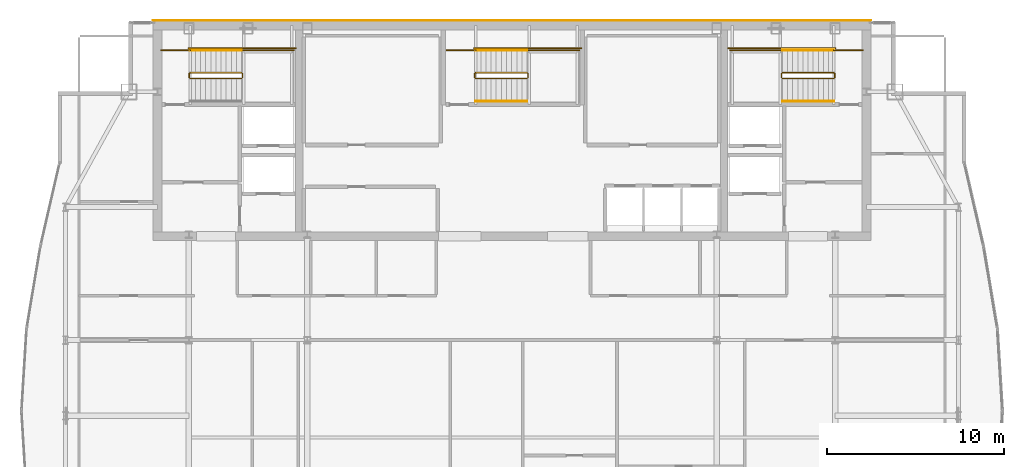
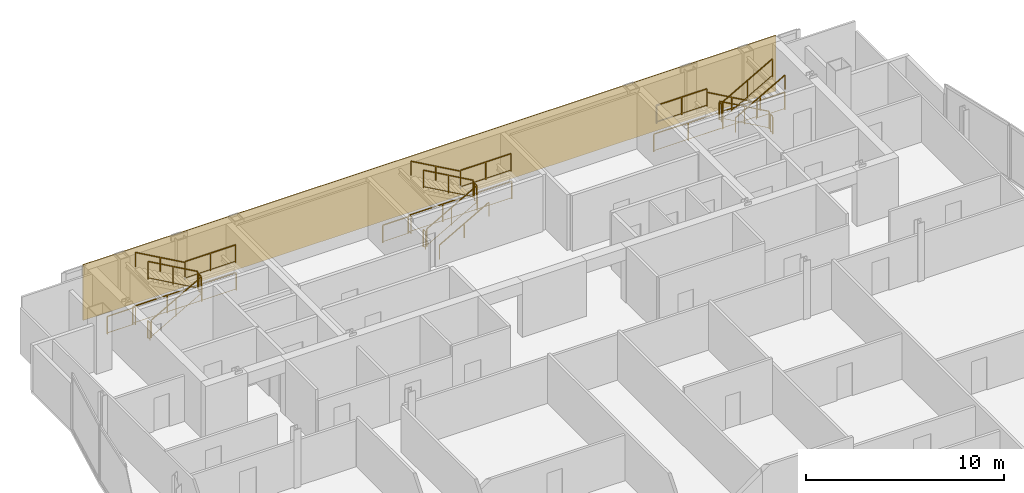
# One storey, part 29 of 29: 26 railings, 1 covering.
"""IFC4 building model written with IfcOpenShell, lengths in metres."""

import ifcopenshell
import ifcopenshell.guid

model = None  # the IFC model being written
_history = None  # IfcOwnerHistory: only IFC2X3 demands one
_inside = {}  # id of a spatial element -> (the spatial element, [elements in it])
_under = {}  # id of a project, library or spatial element -> (it, [spatial elements below it])
_declared = {}  # id of a project -> (the project, [libraries it declares])
_typed = {}  # id of a type object -> (the type object, [elements of that type])
_made_of = {}  # id of a material, layer set ... -> (it, [elements and type objects made of it])


def new_model(schema):
    """Start an empty IFC model of exactly this schema.

    Asked for "IFC4X3", IfcOpenShell would pick the latest addendum, in which some entities
    have other attributes; the version numbers below select the first issue.
    IFC2X3 requires an IfcOwnerHistory on every rooted entity: one is made here for all.
    """
    global model, _history
    if schema == "IFC4X3":
        model = ifcopenshell.file(schema_version=(4, 3, 0, 0))
    else:
        model = ifcopenshell.file(schema=schema)
    _inside.clear()
    _under.clear()
    _declared.clear()
    _typed.clear()
    _made_of.clear()
    _history = None
    if model.schema == "IFC2X3":
        org = make("IfcOrganization", Name="unknown")
        user = make(
            "IfcPersonAndOrganization",
            ThePerson=make("IfcPerson", FamilyName="unknown"),
            TheOrganization=org,
        )
        app = make(
            "IfcApplication",
            ApplicationDeveloper=org,
            Version="unknown",
            ApplicationFullName="unknown",
            ApplicationIdentifier="unknown",
        )
        _history = make(
            "IfcOwnerHistory",
            OwningUser=user,
            OwningApplication=app,
            ChangeAction="ADDED",
            CreationDate=0,
        )
    return model


def make(cls, **values):
    """One entity of the class cls with the attributes given. An attribute that is None is left unset."""
    return model.create_entity(
        cls, **{name: value for name, value in values.items() if value is not None}
    )


def rooted(cls, **values):
    """An entity with a GlobalId (a new one), such as an element, a storey or a relation."""
    return make(cls, GlobalId=ifcopenshell.guid.new(), OwnerHistory=_history, **values)


def si_unit(unit_type, name, prefix=None):
    """IfcSIUnit, for example si_unit("LENGTHUNIT", "METRE", prefix="MILLI")."""
    return make("IfcSIUnit", UnitType=unit_type, Prefix=prefix, Name=name)


def assignment(units):
    """IfcUnitAssignment: the units of a project."""
    return None if units is None else make("IfcUnitAssignment", Units=units)


def point(xyz):
    """IfcCartesianPoint."""
    return None if xyz is None else make("IfcCartesianPoint", Coordinates=xyz)


def direction(xyz):
    """IfcDirection."""
    return None if xyz is None else make("IfcDirection", DirectionRatios=xyz)


def frame(location, z_axis=None, x_axis=None):
    """IfcAxis2Placement3D, a coordinate frame: its origin and axes. An axis left out is left unset."""
    return make(
        "IfcAxis2Placement3D",
        Location=point(location),
        Axis=direction(z_axis),
        RefDirection=direction(x_axis),
    )


def frame_2d(location, x_axis=None):
    """IfcAxis2Placement2D, a coordinate frame in the plane: its origin and x axis."""
    return make(
        "IfcAxis2Placement2D", Location=point(location), RefDirection=direction(x_axis)
    )


def origin():
    """The frame at (0, 0, 0) with its axes left unset."""
    return frame((0.0, 0.0, 0.0))


def origin_2d():
    """The frame at (0, 0) in the plane with its x axis left unset."""
    return frame_2d((0.0, 0.0))


def place(relative_to, where):
    """IfcLocalPlacement: puts the frame where relative to a parent placement (None: the world)."""
    return make(
        "IfcLocalPlacement", PlacementRelTo=relative_to, RelativePlacement=where
    )


def context(
    kind, dimensions, precision=None, world=None, true_north=None, identifier=None
):
    """IfcGeometricRepresentationContext, for example the 3D "Model" context."""
    return make(
        "IfcGeometricRepresentationContext",
        ContextIdentifier=identifier,
        ContextType=kind,
        CoordinateSpaceDimension=dimensions,
        Precision=precision,
        WorldCoordinateSystem=world,
        TrueNorth=true_north,
    )


def subcontext(parent, identifier, kind, view, scale=None):
    """IfcGeometricRepresentationSubContext, for example "Body" below "Model"."""
    return make(
        "IfcGeometricRepresentationSubContext",
        ContextIdentifier=identifier,
        ContextType=kind,
        ParentContext=parent,
        TargetScale=scale,
        TargetView=view,
    )


def project(units=None, contexts=None):
    """IfcProject with its units and contexts."""
    return rooted(
        "IfcProject",
        Name="project",
        RepresentationContexts=contexts,
        UnitsInContext=assignment(units),
    )


def spatial(cls, under=None, at=None, **own):
    """A site, building, storey or space (cls), placed at a placement, below another one or the project."""
    s = rooted(cls, ObjectPlacement=at, **own)
    if under is not None:
        _under.setdefault(under.id(), (under, []))[1].append(s)
    return s


def polyline(points):
    """IfcPolyline through the points."""
    return make("IfcPolyline", Points=[point(p) for p in points])


def profile(cls, at=None, kind="AREA", **sizes):
    """A parametric profile (cls). Its sizes go by their IFC names, for example OverallWidth=200.0."""
    return make(cls, ProfileType=kind, Position=at, **sizes)


def rectangle(**sizes):
    """IfcRectangleProfileDef."""
    return profile("IfcRectangleProfileDef", **sizes)


def outline(outer, holes=None, kind="AREA"):
    """IfcArbitraryClosedProfileDef: a profile drawn as a closed curve; with holes, ...WithVoids."""
    if holes is None:
        return make("IfcArbitraryClosedProfileDef", ProfileType=kind, OuterCurve=outer)
    return make(
        "IfcArbitraryProfileDefWithVoids",
        ProfileType=kind,
        OuterCurve=outer,
        InnerCurves=holes,
    )


def extrude(swept, where, along, depth):
    """IfcExtrudedAreaSolid: the profile swept, set in the frame where, extruded along a direction by depth."""
    return make(
        "IfcExtrudedAreaSolid",
        SweptArea=swept,
        Position=where,
        ExtrudedDirection=direction(along),
        Depth=depth,
    )


def shape(context_of_items, identifier, shape_type, items):
    """IfcShapeRepresentation: the items that make up one representation, for example the "Body"."""
    return make(
        "IfcShapeRepresentation",
        ContextOfItems=context_of_items,
        RepresentationIdentifier=identifier,
        RepresentationType=shape_type,
        Items=items,
    )


def material(Name=None, Category=None):
    """IfcMaterial."""
    return make("IfcMaterial", Name=Name, Category=Category)


def layer(
    of_material, thickness, ventilated=None, Name=None, Category=None, Priority=None
):
    """IfcMaterialLayer: one layer of a wall or slab, of a material (None: an air gap)."""
    return make(
        "IfcMaterialLayer",
        Material=of_material,
        LayerThickness=thickness,
        IsVentilated=ventilated,
        Name=Name,
        Category=Category,
        Priority=Priority,
    )


def layer_set(layers, Name=None):
    """IfcMaterialLayerSet."""
    return make("IfcMaterialLayerSet", MaterialLayers=layers, LayerSetName=Name)


def made_of(thing, what):
    """Note that an element or type object is made of a material, layer set ...; save() writes the relation."""
    if what is not None:
        _made_of.setdefault(what.id(), (what, []))[1].append(thing)
    return thing


def type_object(cls, material=None, **own):
    """A type object (cls), such as IfcWallType, which elements share."""
    return made_of(rooted(cls, **own), material)


def element(
    cls,
    number,
    at=None,
    inside=None,
    cuts=None,
    type_object=None,
    material=None,
    context=None,
    identifier="Body",
    shape_type=None,
    held_by="IfcProductDefinitionShape",
    body=None,
    shapes=None,
    **own,
):
    """One element of the class cls, such as IfcWall. Its Tag is "e" and its number.

    at: its placement. inside: the storey or other place that contains it. cuts: it is an
    opening in that element (IfcRelVoidsElement). A single representation is given by context,
    identifier, shape_type and body (its items); several are given by shapes. held_by: the class
    of the entity that holds the representations. save() writes the other relations.
    """
    e = rooted(cls, Tag="e%d" % number, ObjectPlacement=at, **own)
    if body is not None:
        shapes = [shape(context, identifier, shape_type, body)]
    if shapes is not None:
        e.Representation = make(held_by, Representations=shapes)
    if inside is not None:
        _inside.setdefault(inside.id(), (inside, []))[1].append(e)
    if cuts is not None:
        rooted(
            "IfcRelVoidsElement", RelatingBuildingElement=cuts, RelatedOpeningElement=e
        )
    if type_object is not None:
        _typed.setdefault(type_object.id(), (type_object, []))[1].append(e)
    return made_of(e, material)


def aggregate(whole, parts):
    """IfcRelAggregates: a whole, such as a stair, and the parts it consists of."""
    return rooted("IfcRelAggregates", RelatingObject=whole, RelatedObjects=parts)


def save(model, path):
    """Write the relations noted so far, then the file.

    IfcRelAggregates (storeys below a building ...), IfcRelContainedInSpatialStructure (elements
    in a storey), IfcRelDefinesByType, IfcRelAssociatesMaterial and IfcRelDeclares: one each for
    every whole, place, type object, material and project.
    """
    for whole, parts in _under.values():
        aggregate(whole, parts)
    for where, things in _inside.values():
        rooted(
            "IfcRelContainedInSpatialStructure",
            RelatedElements=things,
            RelatingStructure=where,
        )
    for kind, things in _typed.values():
        rooted("IfcRelDefinesByType", RelatedObjects=things, RelatingType=kind)
    for what, things in _made_of.values():
        rooted("IfcRelAssociatesMaterial", RelatedObjects=things, RelatingMaterial=what)
    for by, libraries in _declared.values():
        rooted("IfcRelDeclares", RelatingContext=by, RelatedDefinitions=libraries)
    model.write(path)


model = new_model("IFC4")

# Units and contexts
model_context = context("Model", 3, precision=1e-05, world=origin(), true_north=direction((0.0, 1.0)))
body_context = subcontext(model_context, "Body", "Model", "MODEL_VIEW")
ifc_project = project(units=[si_unit("LENGTHUNIT", "METRE"), si_unit("AREAUNIT", "SQUARE_METRE"), si_unit("VOLUMEUNIT", "CUBIC_METRE"), si_unit("PLANEANGLEUNIT", "RADIAN"), si_unit("MASSUNIT", "GRAM", prefix="KILO")], contexts=[model_context])

# Site, building, storey
site_placement = place(None, origin())
site = spatial("IfcSite", under=ifc_project, at=site_placement, CompositionType="ELEMENT")
building_placement = place(site_placement, origin())
building = spatial("IfcBuilding", under=site, at=building_placement, Name="Khoronbel Lancet Exchange", CompositionType="ELEMENT")
storey_placement = place(building_placement, frame((0.0, 0.0, 321.800048828125)))
storey = spatial("IfcBuildingStorey", under=building, at=storey_placement, Name="L83", CompositionType="ELEMENT", Elevation=321.800048828125)

# Covering
ifc_material_1 = material(Name="Honed Egyptian Limestone & Bronze Rainscreen", Category="masonry")
ifc_layer = layer(ifc_material_1, 0.050048828125, Name="Honed Egyptian Limestone & Bronze Rainscreen")
ifc_layer_set = layer_set([ifc_layer], Name="Honed Egyptian Limestone & Bronze Rainscreen")
covering_type = type_object("IfcCoveringType", Name="COV-CLAD1", PredefinedType="CLADDING", material=ifc_layer_set)
covering_placement = place(storey_placement, origin())
element("IfcCovering", 1, at=covering_placement, inside=storey, type_object=covering_type, Name="Level L83 north rear-core stone and bronze rainscreen cladding", PredefinedType="CLADDING", context=body_context, shape_type="SweptSolid", body=[
    extrude(outline(polyline([(16.199951171875, 53.699951171875), (56.699951171875, 53.699951171875), (56.699951171875, 53.75), (16.199951171875, 53.75), (16.199951171875, 53.699951171875)])), origin(), (0.0, 0.0, 1.0), 3.43994140625),
])

# Railings
ifc_material_2 = material(Name="Painted Steel Balustrade", Category="steel")
railing_type_1 = type_object("IfcRailingType", Name="RL-STG110", PredefinedType="GUARDRAIL", material=ifc_material_2)
railing_1_placement = place(storey_placement, frame((18.300048828125, 50.449951171875, 0.16357421875)))
element("IfcRailing", 2, at=railing_1_placement, inside=storey, type_object=railing_type_1, Name="L83 ST1 stair guard 1", PredefinedType="GUARDRAIL", context=body_context, shape_type="SweptSolid", body=[
    extrude(rectangle(XDim=0.048095703125, YDim=0.048095703125, at=origin_2d()), frame((0.0, 0.0, 1.09619140625), z_axis=(0.870897200241, 0.0, 0.491465224214), x_axis=(0.0, 1.0, 0.0)), (0.0, 0.0, 1.0), 3.329833984375),
    extrude(rectangle(XDim=0.02392578125, YDim=0.02392578125, at=origin_2d()), frame((0.0, 0.0, 0.080078125), z_axis=(0.870897200241, 0.0, 0.491465224214), x_axis=(0.0, 1.0, 0.0)), (0.0, 0.0, 1.0), 3.329833984375),
    extrude(rectangle(XDim=0.0419921875, YDim=0.0419921875, at=origin_2d()), origin(), (0.0, 0.0, 1.0), 1.072021484375),
    extrude(rectangle(XDim=0.0419921875, YDim=0.0419921875, at=origin_2d()), frame((1.449951171875, 0.0, 0.818359375)), (0.0, 0.0, 1.0), 1.072021484375),
    extrude(rectangle(XDim=0.0419921875, YDim=0.0419921875, at=origin_2d()), frame((2.89990234375, 0.0, 1.636474609375)), (0.0, 0.0, 1.0), 1.072021484375),
])
railing_2_placement = place(storey_placement, frame((21.25, 50.5, 1.800048828125)))
element("IfcRailing", 3, at=railing_2_placement, inside=storey, type_object=railing_type_1, Name="L83 ST1 stair guard 2", PredefinedType="GUARDRAIL", context=body_context, shape_type="SweptSolid", body=[
    extrude(rectangle(XDim=0.048095703125, YDim=0.048095703125, at=origin_2d()), frame((0.0, 0.0, 1.09619140625), z_axis=(0.0, 1.0, 0.0), x_axis=(-1.0, 0.0, 0.0)), (0.0, 0.0, 1.0), 0.219970703125),
    extrude(rectangle(XDim=0.02392578125, YDim=0.02392578125, at=origin_2d()), frame((0.0, 0.0, 0.080078125), z_axis=(0.0, 1.0, 0.0), x_axis=(-1.0, 0.0, 0.0)), (0.0, 0.0, 1.0), 0.219970703125),
    extrude(rectangle(XDim=0.0419921875, YDim=0.0419921875, at=origin_2d()), origin(), (0.0, 0.0, 1.0), 1.072021484375),
    extrude(rectangle(XDim=0.0419921875, YDim=0.0419921875, at=origin_2d()), frame((0.0, 0.219970703125, 0.0)), (0.0, 0.0, 1.0), 1.072021484375),
])
railing_3_placement = place(storey_placement, frame((21.199951171875, 52.050048828125, 1.800048828125)))
element("IfcRailing", 4, at=railing_3_placement, inside=storey, type_object=railing_type_1, Name="L83 ST1 stair guard 3", PredefinedType="GUARDRAIL", context=body_context, shape_type="SweptSolid", body=[
    extrude(rectangle(XDim=0.048095703125, YDim=0.048095703125, at=origin_2d()), frame((0.0, 0.0, 1.09619140625), z_axis=(1.0, 0.0, 0.0), x_axis=(0.0, 1.0, 0.0)), (0.0, 0.0, 1.0), 2.949951171875),
    extrude(rectangle(XDim=0.02392578125, YDim=0.02392578125, at=origin_2d()), frame((0.0, 0.0, 0.080078125), z_axis=(1.0, 0.0, 0.0), x_axis=(0.0, 1.0, 0.0)), (0.0, 0.0, 1.0), 2.949951171875),
    extrude(rectangle(XDim=0.0419921875, YDim=0.0419921875, at=origin_2d()), origin(), (0.0, 0.0, 1.0), 1.072021484375),
    extrude(rectangle(XDim=0.0419921875, YDim=0.0419921875, at=origin_2d()), frame((1.47509765625, 0.0, 0.0)), (0.0, 0.0, 1.0), 1.072021484375),
    extrude(rectangle(XDim=0.0419921875, YDim=0.0419921875, at=origin_2d()), frame((2.949951171875, 0.0, 0.0)), (0.0, 0.0, 1.0), 1.072021484375),
])
railing_4_placement = place(storey_placement, frame((21.199951171875, 50.77001953125, 1.963623046875)))
element("IfcRailing", 5, at=railing_4_placement, inside=storey, type_object=railing_type_1, Name="L83 ST1 stair guard 4", PredefinedType="GUARDRAIL", context=body_context, shape_type="SweptSolid", body=[
    extrude(rectangle(XDim=0.048095703125, YDim=0.048095703125, at=origin_2d()), frame((0.0, 0.0, 1.09619140625), z_axis=(-0.870928581787, 0.0, 0.491409610636), x_axis=(0.0, -1.0, 0.0)), (0.0, 0.0, 1.0), 3.32958984375),
    extrude(rectangle(XDim=0.02392578125, YDim=0.02392578125, at=origin_2d()), frame((0.0, 0.0, 0.080078125), z_axis=(-0.870928581787, 0.0, 0.491409610636), x_axis=(0.0, -1.0, 0.0)), (0.0, 0.0, 1.0), 3.32958984375),
    extrude(rectangle(XDim=0.0419921875, YDim=0.0419921875, at=origin_2d()), origin(), (0.0, 0.0, 1.0), 1.072021484375),
    extrude(rectangle(XDim=0.0419921875, YDim=0.0419921875, at=origin_2d()), frame((-1.449951171875, 0.0, 0.818115234375)), (0.0, 0.0, 1.0), 1.072021484375),
    extrude(rectangle(XDim=0.0419921875, YDim=0.0419921875, at=origin_2d()), frame((-2.89990234375, 0.0, 1.63623046875)), (0.0, 0.0, 1.0), 1.072021484375),
])
railing_5_placement = place(storey_placement, frame((18.25, 50.5, 0.0)))
element("IfcRailing", 6, at=railing_5_placement, inside=storey, type_object=railing_type_1, Name="L83 ST1 stair guard 5", PredefinedType="GUARDRAIL", context=body_context, shape_type="SweptSolid", body=[
    extrude(rectangle(XDim=0.048095703125, YDim=0.048095703125, at=origin_2d()), frame((0.0, 0.0, 1.09619140625), z_axis=(0.0, 1.0, 0.0), x_axis=(-1.0, 0.0, 0.0)), (0.0, 0.0, 1.0), 0.219970703125),
    extrude(rectangle(XDim=0.02392578125, YDim=0.02392578125, at=origin_2d()), frame((0.0, 0.0, 0.080078125), z_axis=(0.0, 1.0, 0.0), x_axis=(-1.0, 0.0, 0.0)), (0.0, 0.0, 1.0), 0.219970703125),
    extrude(rectangle(XDim=0.0419921875, YDim=0.0419921875, at=origin_2d()), origin(), (0.0, 0.0, 1.0), 1.072021484375),
    extrude(rectangle(XDim=0.0419921875, YDim=0.0419921875, at=origin_2d()), frame((0.0, 0.219970703125, 0.0)), (0.0, 0.0, 1.0), 1.072021484375),
])
railing_6_placement = place(storey_placement, frame((16.64990234375, 52.050048828125, 0.0)))
element("IfcRailing", 7, at=railing_6_placement, inside=storey, type_object=railing_type_1, Name="L83 ST1 stair guard 6", PredefinedType="GUARDRAIL", context=body_context, shape_type="SweptSolid", body=[
    extrude(rectangle(XDim=0.048095703125, YDim=0.048095703125, at=origin_2d()), frame((0.0, 0.0, 1.09619140625), z_axis=(1.0, 0.0, 0.0), x_axis=(0.0, 1.0, 0.0)), (0.0, 0.0, 1.0), 1.650146484375),
    extrude(rectangle(XDim=0.02392578125, YDim=0.02392578125, at=origin_2d()), frame((0.0, 0.0, 0.080078125), z_axis=(1.0, 0.0, 0.0), x_axis=(0.0, 1.0, 0.0)), (0.0, 0.0, 1.0), 1.650146484375),
    extrude(rectangle(XDim=0.0419921875, YDim=0.0419921875, at=origin_2d()), origin(), (0.0, 0.0, 1.0), 1.072021484375),
    extrude(rectangle(XDim=0.0419921875, YDim=0.0419921875, at=origin_2d()), frame((1.650146484375, 0.0, 0.0)), (0.0, 0.0, 1.0), 1.072021484375),
])
railing_7_placement = place(storey_placement, frame((18.199951171875, 52.14990234375, 0.0)))
element("IfcRailing", 8, at=railing_7_placement, inside=storey, type_object=railing_type_1, Name="L83 ST1 stair guard 7", PredefinedType="GUARDRAIL", context=body_context, shape_type="SweptSolid", body=[
    extrude(rectangle(XDim=0.048095703125, YDim=0.048095703125, at=origin_2d()), frame((0.0, 0.0, 1.09619140625), z_axis=(1.0, 0.0, 0.0), x_axis=(0.0, 1.0, 0.0)), (0.0, 0.0, 1.0), 6.050048828125),
    extrude(rectangle(XDim=0.02392578125, YDim=0.02392578125, at=origin_2d()), frame((0.0, 0.0, 0.080078125), z_axis=(1.0, 0.0, 0.0), x_axis=(0.0, 1.0, 0.0)), (0.0, 0.0, 1.0), 6.050048828125),
    extrude(rectangle(XDim=0.0419921875, YDim=0.0419921875, at=origin_2d()), origin(), (0.0, 0.0, 1.0), 1.072021484375),
    extrude(rectangle(XDim=0.0419921875, YDim=0.0419921875, at=origin_2d()), frame((2.0166015625, 0.0, 0.0)), (0.0, 0.0, 1.0), 1.072021484375),
    extrude(rectangle(XDim=0.0419921875, YDim=0.0419921875, at=origin_2d()), frame((4.033447265625, 0.0, 0.0)), (0.0, 0.0, 1.0), 1.072021484375),
    extrude(rectangle(XDim=0.0419921875, YDim=0.0419921875, at=origin_2d()), frame((6.050048828125, 0.0, 0.0)), (0.0, 0.0, 1.0), 1.072021484375),
])
railing_8_placement = place(storey_placement, frame((54.60009765625, 50.77001953125, 0.16357421875)))
element("IfcRailing", 9, at=railing_8_placement, inside=storey, type_object=railing_type_1, Name="L83 ST2 stair guard 1", PredefinedType="GUARDRAIL", context=body_context, shape_type="SweptSolid", body=[
    extrude(rectangle(XDim=0.048095703125, YDim=0.048095703125, at=origin_2d()), frame((0.0, 0.0, 1.09619140625), z_axis=(-0.870914908162, 0.0, 0.491433843708), x_axis=(0.0, -1.0, 0.0)), (0.0, 0.0, 1.0), 3.330078125),
    extrude(rectangle(XDim=0.02392578125, YDim=0.02392578125, at=origin_2d()), frame((0.0, 0.0, 0.080078125), z_axis=(-0.870914908162, 0.0, 0.491433843708), x_axis=(0.0, -1.0, 0.0)), (0.0, 0.0, 1.0), 3.330078125),
    extrude(rectangle(XDim=0.0419921875, YDim=0.0419921875, at=origin_2d()), origin(), (0.0, 0.0, 1.0), 1.072021484375),
    extrude(rectangle(XDim=0.0419921875, YDim=0.0419921875, at=origin_2d()), frame((-1.4501953125, 0.0, 0.818359375)), (0.0, 0.0, 1.0), 1.072021484375),
    extrude(rectangle(XDim=0.0419921875, YDim=0.0419921875, at=origin_2d()), frame((-2.900146484375, 0.0, 1.636474609375)), (0.0, 0.0, 1.0), 1.072021484375),
])
railing_9_placement = place(storey_placement, frame((51.64990234375, 50.719970703125, 1.800048828125)))
element("IfcRailing", 10, at=railing_9_placement, inside=storey, type_object=railing_type_1, Name="L83 ST2 stair guard 2", PredefinedType="GUARDRAIL", context=body_context, shape_type="SweptSolid", body=[
    extrude(rectangle(XDim=0.048095703125, YDim=0.048095703125, at=origin_2d()), frame((0.0, 0.0, 1.09619140625), z_axis=(0.0, -1.0, 0.0), x_axis=(1.0, 0.0, 0.0)), (0.0, 0.0, 1.0), 0.219970703125),
    extrude(rectangle(XDim=0.02392578125, YDim=0.02392578125, at=origin_2d()), frame((0.0, 0.0, 0.080078125), z_axis=(0.0, -1.0, 0.0), x_axis=(1.0, 0.0, 0.0)), (0.0, 0.0, 1.0), 0.219970703125),
    extrude(rectangle(XDim=0.0419921875, YDim=0.0419921875, at=origin_2d()), origin(), (0.0, 0.0, 1.0), 1.072021484375),
    extrude(rectangle(XDim=0.0419921875, YDim=0.0419921875, at=origin_2d()), frame((0.0, -0.219970703125, 0.0)), (0.0, 0.0, 1.0), 1.072021484375),
])
railing_10_placement = place(storey_placement, frame((51.699951171875, 52.050048828125, 1.800048828125)))
element("IfcRailing", 11, at=railing_10_placement, inside=storey, type_object=railing_type_1, Name="L83 ST2 stair guard 3", PredefinedType="GUARDRAIL", context=body_context, shape_type="SweptSolid", body=[
    extrude(rectangle(XDim=0.048095703125, YDim=0.048095703125, at=origin_2d()), frame((0.0, 0.0, 1.09619140625), z_axis=(-1.0, 0.0, 0.0), x_axis=(0.0, -1.0, 0.0)), (0.0, 0.0, 1.0), 2.949951171875),
    extrude(rectangle(XDim=0.02392578125, YDim=0.02392578125, at=origin_2d()), frame((0.0, 0.0, 0.080078125), z_axis=(-1.0, 0.0, 0.0), x_axis=(0.0, -1.0, 0.0)), (0.0, 0.0, 1.0), 2.949951171875),
    extrude(rectangle(XDim=0.0419921875, YDim=0.0419921875, at=origin_2d()), origin(), (0.0, 0.0, 1.0), 1.072021484375),
    extrude(rectangle(XDim=0.0419921875, YDim=0.0419921875, at=origin_2d()), frame((-1.47509765625, 0.0, 0.0)), (0.0, 0.0, 1.0), 1.072021484375),
    extrude(rectangle(XDim=0.0419921875, YDim=0.0419921875, at=origin_2d()), frame((-2.949951171875, 0.0, 0.0)), (0.0, 0.0, 1.0), 1.072021484375),
])
railing_11_placement = place(storey_placement, frame((51.699951171875, 50.449951171875, 1.963623046875)))
element("IfcRailing", 12, at=railing_11_placement, inside=storey, type_object=railing_type_1, Name="L83 ST2 stair guard 4", PredefinedType="GUARDRAIL", context=body_context, shape_type="SweptSolid", body=[
    extrude(rectangle(XDim=0.048095703125, YDim=0.048095703125, at=origin_2d()), frame((0.0, 0.0, 1.09619140625), z_axis=(0.870946286338, 0.0, 0.49137823142), x_axis=(0.0, 1.0, 0.0)), (0.0, 0.0, 1.0), 3.329833984375),
    extrude(rectangle(XDim=0.02392578125, YDim=0.02392578125, at=origin_2d()), frame((0.0, 0.0, 0.080078125), z_axis=(0.870946286338, 0.0, 0.49137823142), x_axis=(0.0, 1.0, 0.0)), (0.0, 0.0, 1.0), 3.329833984375),
    extrude(rectangle(XDim=0.0419921875, YDim=0.0419921875, at=origin_2d()), origin(), (0.0, 0.0, 1.0), 1.072021484375),
    extrude(rectangle(XDim=0.0419921875, YDim=0.0419921875, at=origin_2d()), frame((1.4501953125, 0.0, 0.818115234375)), (0.0, 0.0, 1.0), 1.072021484375),
    extrude(rectangle(XDim=0.0419921875, YDim=0.0419921875, at=origin_2d()), frame((2.900146484375, 0.0, 1.63623046875)), (0.0, 0.0, 1.0), 1.072021484375),
])
railing_12_placement = place(storey_placement, frame((54.64990234375, 50.719970703125, 0.0)))
element("IfcRailing", 13, at=railing_12_placement, inside=storey, type_object=railing_type_1, Name="L83 ST2 stair guard 5", PredefinedType="GUARDRAIL", context=body_context, shape_type="SweptSolid", body=[
    extrude(rectangle(XDim=0.048095703125, YDim=0.048095703125, at=origin_2d()), frame((0.0, 0.0, 1.09619140625), z_axis=(0.0, -1.0, 0.0), x_axis=(1.0, 0.0, 0.0)), (0.0, 0.0, 1.0), 0.219970703125),
    extrude(rectangle(XDim=0.02392578125, YDim=0.02392578125, at=origin_2d()), frame((0.0, 0.0, 0.080078125), z_axis=(0.0, -1.0, 0.0), x_axis=(1.0, 0.0, 0.0)), (0.0, 0.0, 1.0), 0.219970703125),
    extrude(rectangle(XDim=0.0419921875, YDim=0.0419921875, at=origin_2d()), origin(), (0.0, 0.0, 1.0), 1.072021484375),
    extrude(rectangle(XDim=0.0419921875, YDim=0.0419921875, at=origin_2d()), frame((0.0, -0.219970703125, 0.0)), (0.0, 0.0, 1.0), 1.072021484375),
])
railing_13_placement = place(storey_placement, frame((56.25, 52.050048828125, 0.0)))
element("IfcRailing", 14, at=railing_13_placement, inside=storey, type_object=railing_type_1, Name="L83 ST2 stair guard 6", PredefinedType="GUARDRAIL", context=body_context, shape_type="SweptSolid", body=[
    extrude(rectangle(XDim=0.048095703125, YDim=0.048095703125, at=origin_2d()), frame((0.0, 0.0, 1.09619140625), z_axis=(-1.0, 0.0, 0.0), x_axis=(0.0, -1.0, 0.0)), (0.0, 0.0, 1.0), 1.64990234375),
    extrude(rectangle(XDim=0.02392578125, YDim=0.02392578125, at=origin_2d()), frame((0.0, 0.0, 0.080078125), z_axis=(-1.0, 0.0, 0.0), x_axis=(0.0, -1.0, 0.0)), (0.0, 0.0, 1.0), 1.64990234375),
    extrude(rectangle(XDim=0.0419921875, YDim=0.0419921875, at=origin_2d()), origin(), (0.0, 0.0, 1.0), 1.072021484375),
    extrude(rectangle(XDim=0.0419921875, YDim=0.0419921875, at=origin_2d()), frame((-1.64990234375, 0.0, 0.0)), (0.0, 0.0, 1.0), 1.072021484375),
])
railing_14_placement = place(storey_placement, frame((54.699951171875, 52.14990234375, 0.0)))
element("IfcRailing", 15, at=railing_14_placement, inside=storey, type_object=railing_type_1, Name="L83 ST2 stair guard 7", PredefinedType="GUARDRAIL", context=body_context, shape_type="SweptSolid", body=[
    extrude(rectangle(XDim=0.048095703125, YDim=0.048095703125, at=origin_2d()), frame((0.0, 0.0, 1.09619140625), z_axis=(-1.0, 0.0, 0.0), x_axis=(0.0, -1.0, 0.0)), (0.0, 0.0, 1.0), 6.050048828125),
    extrude(rectangle(XDim=0.02392578125, YDim=0.02392578125, at=origin_2d()), frame((0.0, 0.0, 0.080078125), z_axis=(-1.0, 0.0, 0.0), x_axis=(0.0, -1.0, 0.0)), (0.0, 0.0, 1.0), 6.050048828125),
    extrude(rectangle(XDim=0.0419921875, YDim=0.0419921875, at=origin_2d()), origin(), (0.0, 0.0, 1.0), 1.072021484375),
    extrude(rectangle(XDim=0.0419921875, YDim=0.0419921875, at=origin_2d()), frame((-2.0166015625, 0.0, 0.0)), (0.0, 0.0, 1.0), 1.072021484375),
    extrude(rectangle(XDim=0.0419921875, YDim=0.0419921875, at=origin_2d()), frame((-4.033447265625, 0.0, 0.0)), (0.0, 0.0, 1.0), 1.072021484375),
    extrude(rectangle(XDim=0.0419921875, YDim=0.0419921875, at=origin_2d()), frame((-6.050048828125, 0.0, 0.0)), (0.0, 0.0, 1.0), 1.072021484375),
])
railing_15_placement = place(storey_placement, frame((34.39990234375, 50.449951171875, 0.16357421875)))
element("IfcRailing", 16, at=railing_15_placement, inside=storey, type_object=railing_type_1, Name="L83 ST3 stair guard 1", PredefinedType="GUARDRAIL", context=body_context, shape_type="SweptSolid", body=[
    extrude(rectangle(XDim=0.048095703125, YDim=0.048095703125, at=origin_2d()), frame((0.0, 0.0, 1.09619140625), z_axis=(0.870914908162, 0.0, 0.491433843708), x_axis=(0.0, 1.0, 0.0)), (0.0, 0.0, 1.0), 3.330078125),
    extrude(rectangle(XDim=0.02392578125, YDim=0.02392578125, at=origin_2d()), frame((0.0, 0.0, 0.080078125), z_axis=(0.870914908162, 0.0, 0.491433843708), x_axis=(0.0, 1.0, 0.0)), (0.0, 0.0, 1.0), 3.330078125),
    extrude(rectangle(XDim=0.0419921875, YDim=0.0419921875, at=origin_2d()), origin(), (0.0, 0.0, 1.0), 1.072021484375),
    extrude(rectangle(XDim=0.0419921875, YDim=0.0419921875, at=origin_2d()), frame((1.4501953125, 0.0, 0.818359375)), (0.0, 0.0, 1.0), 1.072021484375),
    extrude(rectangle(XDim=0.0419921875, YDim=0.0419921875, at=origin_2d()), frame((2.900146484375, 0.0, 1.636474609375)), (0.0, 0.0, 1.0), 1.072021484375),
])
railing_16_placement = place(storey_placement, frame((37.35009765625, 50.5, 1.800048828125)))
element("IfcRailing", 17, at=railing_16_placement, inside=storey, type_object=railing_type_1, Name="L83 ST3 stair guard 2", PredefinedType="GUARDRAIL", context=body_context, shape_type="SweptSolid", body=[
    extrude(rectangle(XDim=0.048095703125, YDim=0.048095703125, at=origin_2d()), frame((0.0, 0.0, 1.09619140625), z_axis=(0.0, 1.0, 0.0), x_axis=(-1.0, 0.0, 0.0)), (0.0, 0.0, 1.0), 0.219970703125),
    extrude(rectangle(XDim=0.02392578125, YDim=0.02392578125, at=origin_2d()), frame((0.0, 0.0, 0.080078125), z_axis=(0.0, 1.0, 0.0), x_axis=(-1.0, 0.0, 0.0)), (0.0, 0.0, 1.0), 0.219970703125),
    extrude(rectangle(XDim=0.0419921875, YDim=0.0419921875, at=origin_2d()), origin(), (0.0, 0.0, 1.0), 1.072021484375),
    extrude(rectangle(XDim=0.0419921875, YDim=0.0419921875, at=origin_2d()), frame((0.0, 0.219970703125, 0.0)), (0.0, 0.0, 1.0), 1.072021484375),
])
railing_17_placement = place(storey_placement, frame((37.300048828125, 52.050048828125, 1.800048828125)))
element("IfcRailing", 18, at=railing_17_placement, inside=storey, type_object=railing_type_1, Name="L83 ST3 stair guard 3", PredefinedType="GUARDRAIL", context=body_context, shape_type="SweptSolid", body=[
    extrude(rectangle(XDim=0.048095703125, YDim=0.048095703125, at=origin_2d()), frame((0.0, 0.0, 1.09619140625), z_axis=(1.0, 0.0, 0.0), x_axis=(0.0, 1.0, 0.0)), (0.0, 0.0, 1.0), 2.949951171875),
    extrude(rectangle(XDim=0.02392578125, YDim=0.02392578125, at=origin_2d()), frame((0.0, 0.0, 0.080078125), z_axis=(1.0, 0.0, 0.0), x_axis=(0.0, 1.0, 0.0)), (0.0, 0.0, 1.0), 2.949951171875),
    extrude(rectangle(XDim=0.0419921875, YDim=0.0419921875, at=origin_2d()), origin(), (0.0, 0.0, 1.0), 1.072021484375),
    extrude(rectangle(XDim=0.0419921875, YDim=0.0419921875, at=origin_2d()), frame((1.47509765625, 0.0, 0.0)), (0.0, 0.0, 1.0), 1.072021484375),
    extrude(rectangle(XDim=0.0419921875, YDim=0.0419921875, at=origin_2d()), frame((2.949951171875, 0.0, 0.0)), (0.0, 0.0, 1.0), 1.072021484375),
])
railing_18_placement = place(storey_placement, frame((37.300048828125, 50.77001953125, 1.963623046875)))
element("IfcRailing", 19, at=railing_18_placement, inside=storey, type_object=railing_type_1, Name="L83 ST3 stair guard 4", PredefinedType="GUARDRAIL", context=body_context, shape_type="SweptSolid", body=[
    extrude(rectangle(XDim=0.048095703125, YDim=0.048095703125, at=origin_2d()), frame((0.0, 0.0, 1.09619140625), z_axis=(-0.870946286338, 0.0, 0.49137823142), x_axis=(0.0, -1.0, 0.0)), (0.0, 0.0, 1.0), 3.329833984375),
    extrude(rectangle(XDim=0.02392578125, YDim=0.02392578125, at=origin_2d()), frame((0.0, 0.0, 0.080078125), z_axis=(-0.870946286338, 0.0, 0.49137823142), x_axis=(0.0, -1.0, 0.0)), (0.0, 0.0, 1.0), 3.329833984375),
    extrude(rectangle(XDim=0.0419921875, YDim=0.0419921875, at=origin_2d()), origin(), (0.0, 0.0, 1.0), 1.072021484375),
    extrude(rectangle(XDim=0.0419921875, YDim=0.0419921875, at=origin_2d()), frame((-1.4501953125, 0.0, 0.818115234375)), (0.0, 0.0, 1.0), 1.072021484375),
    extrude(rectangle(XDim=0.0419921875, YDim=0.0419921875, at=origin_2d()), frame((-2.900146484375, 0.0, 1.63623046875)), (0.0, 0.0, 1.0), 1.072021484375),
])
railing_19_placement = place(storey_placement, frame((34.35009765625, 50.5, 0.0)))
element("IfcRailing", 20, at=railing_19_placement, inside=storey, type_object=railing_type_1, Name="L83 ST3 stair guard 5", PredefinedType="GUARDRAIL", context=body_context, shape_type="SweptSolid", body=[
    extrude(rectangle(XDim=0.048095703125, YDim=0.048095703125, at=origin_2d()), frame((0.0, 0.0, 1.09619140625), z_axis=(0.0, 1.0, 0.0), x_axis=(-1.0, 0.0, 0.0)), (0.0, 0.0, 1.0), 0.219970703125),
    extrude(rectangle(XDim=0.02392578125, YDim=0.02392578125, at=origin_2d()), frame((0.0, 0.0, 0.080078125), z_axis=(0.0, 1.0, 0.0), x_axis=(-1.0, 0.0, 0.0)), (0.0, 0.0, 1.0), 0.219970703125),
    extrude(rectangle(XDim=0.0419921875, YDim=0.0419921875, at=origin_2d()), origin(), (0.0, 0.0, 1.0), 1.072021484375),
    extrude(rectangle(XDim=0.0419921875, YDim=0.0419921875, at=origin_2d()), frame((0.0, 0.219970703125, 0.0)), (0.0, 0.0, 1.0), 1.072021484375),
])
railing_20_placement = place(storey_placement, frame((32.75, 52.050048828125, 0.0)))
element("IfcRailing", 21, at=railing_20_placement, inside=storey, type_object=railing_type_1, Name="L83 ST3 stair guard 6", PredefinedType="GUARDRAIL", context=body_context, shape_type="SweptSolid", body=[
    extrude(rectangle(XDim=0.048095703125, YDim=0.048095703125, at=origin_2d()), frame((0.0, 0.0, 1.09619140625), z_axis=(1.0, 0.0, 0.0), x_axis=(0.0, 1.0, 0.0)), (0.0, 0.0, 1.0), 1.64990234375),
    extrude(rectangle(XDim=0.02392578125, YDim=0.02392578125, at=origin_2d()), frame((0.0, 0.0, 0.080078125), z_axis=(1.0, 0.0, 0.0), x_axis=(0.0, 1.0, 0.0)), (0.0, 0.0, 1.0), 1.64990234375),
    extrude(rectangle(XDim=0.0419921875, YDim=0.0419921875, at=origin_2d()), origin(), (0.0, 0.0, 1.0), 1.072021484375),
    extrude(rectangle(XDim=0.0419921875, YDim=0.0419921875, at=origin_2d()), frame((1.64990234375, 0.0, 0.0)), (0.0, 0.0, 1.0), 1.072021484375),
])
railing_21_placement = place(storey_placement, frame((34.300048828125, 52.14990234375, 0.0)))
element("IfcRailing", 22, at=railing_21_placement, inside=storey, type_object=railing_type_1, Name="L83 ST3 stair guard 7", PredefinedType="GUARDRAIL", context=body_context, shape_type="SweptSolid", body=[
    extrude(rectangle(XDim=0.048095703125, YDim=0.048095703125, at=origin_2d()), frame((0.0, 0.0, 1.09619140625), z_axis=(1.0, 0.0, 0.0), x_axis=(0.0, 1.0, 0.0)), (0.0, 0.0, 1.0), 6.050048828125),
    extrude(rectangle(XDim=0.02392578125, YDim=0.02392578125, at=origin_2d()), frame((0.0, 0.0, 0.080078125), z_axis=(1.0, 0.0, 0.0), x_axis=(0.0, 1.0, 0.0)), (0.0, 0.0, 1.0), 6.050048828125),
    extrude(rectangle(XDim=0.0419921875, YDim=0.0419921875, at=origin_2d()), origin(), (0.0, 0.0, 1.0), 1.072021484375),
    extrude(rectangle(XDim=0.0419921875, YDim=0.0419921875, at=origin_2d()), frame((2.0166015625, 0.0, 0.0)), (0.0, 0.0, 1.0), 1.072021484375),
    extrude(rectangle(XDim=0.0419921875, YDim=0.0419921875, at=origin_2d()), frame((4.033447265625, 0.0, 0.0)), (0.0, 0.0, 1.0), 1.072021484375),
    extrude(rectangle(XDim=0.0419921875, YDim=0.0419921875, at=origin_2d()), frame((6.050048828125, 0.0, 0.0)), (0.0, 0.0, 1.0), 1.072021484375),
])
ifc_material_3 = material(Name="Brushed Stainless Steel 316", Category="steel")
railing_type_2 = type_object("IfcRailingType", Name="RL-STH92", PredefinedType="HANDRAIL", material=ifc_material_3)
railing_22_placement = place(storey_placement, frame((21.199951171875, 52.050048828125, 1.963623046875)))
element("IfcRailing", 23, at=railing_22_placement, inside=storey, type_object=railing_type_2, Name="L83 ST1 stair handrail 2", PredefinedType="HANDRAIL", context=body_context, shape_type="SweptSolid", body=[
    extrude(rectangle(XDim=0.048095703125, YDim=0.048095703125, at=origin_2d()), frame((0.0, 0.0, 0.8759765625), z_axis=(-0.870928581787, 0.0, 0.491409610636), x_axis=(0.0, -1.0, 0.0)), (0.0, 0.0, 1.0), 3.32958984375),
    extrude(rectangle(XDim=0.0419921875, YDim=0.0419921875, at=origin_2d()), origin(), (0.0, 0.0, 1.0), 0.851806640625),
    extrude(rectangle(XDim=0.0419921875, YDim=0.0419921875, at=origin_2d()), frame((-1.449951171875, 0.0, 0.818115234375)), (0.0, 0.0, 1.0), 0.851806640625),
    extrude(rectangle(XDim=0.0419921875, YDim=0.0419921875, at=origin_2d()), frame((-2.89990234375, 0.0, 1.63623046875)), (0.0, 0.0, 1.0), 0.851806640625),
])
railing_23_placement = place(storey_placement, frame((54.60009765625, 52.050048828125, 0.16357421875)))
element("IfcRailing", 24, at=railing_23_placement, inside=storey, type_object=railing_type_2, Name="L83 ST2 stair handrail 1", PredefinedType="HANDRAIL", context=body_context, shape_type="SweptSolid", body=[
    extrude(rectangle(XDim=0.048095703125, YDim=0.048095703125, at=origin_2d()), frame((0.0, 0.0, 0.8759765625), z_axis=(-0.870914908162, 0.0, 0.491433843708), x_axis=(0.0, -1.0, 0.0)), (0.0, 0.0, 1.0), 3.330078125),
    extrude(rectangle(XDim=0.0419921875, YDim=0.0419921875, at=origin_2d()), origin(), (0.0, 0.0, 1.0), 0.851806640625),
    extrude(rectangle(XDim=0.0419921875, YDim=0.0419921875, at=origin_2d()), frame((-1.4501953125, 0.0, 0.818359375)), (0.0, 0.0, 1.0), 0.851806640625),
    extrude(rectangle(XDim=0.0419921875, YDim=0.0419921875, at=origin_2d()), frame((-2.900146484375, 0.0, 1.636474609375)), (0.0, 0.0, 1.0), 0.851806640625),
])
railing_24_placement = place(storey_placement, frame((51.699951171875, 49.169921875, 1.963623046875)))
element("IfcRailing", 25, at=railing_24_placement, inside=storey, type_object=railing_type_2, Name="L83 ST2 stair handrail 2", PredefinedType="HANDRAIL", context=body_context, shape_type="SweptSolid", body=[
    extrude(rectangle(XDim=0.048095703125, YDim=0.048095703125, at=origin_2d()), frame((0.0, 0.0, 0.8759765625), z_axis=(0.870946286338, 0.0, 0.49137823142), x_axis=(0.0, 1.0, 0.0)), (0.0, 0.0, 1.0), 3.329833984375),
    extrude(rectangle(XDim=0.0419921875, YDim=0.0419921875, at=origin_2d()), origin(), (0.0, 0.0, 1.0), 0.851806640625),
    extrude(rectangle(XDim=0.0419921875, YDim=0.0419921875, at=origin_2d()), frame((1.4501953125, 0.0, 0.818115234375)), (0.0, 0.0, 1.0), 0.851806640625),
    extrude(rectangle(XDim=0.0419921875, YDim=0.0419921875, at=origin_2d()), frame((2.900146484375, 0.0, 1.63623046875)), (0.0, 0.0, 1.0), 0.851806640625),
])
railing_25_placement = place(storey_placement, frame((34.39990234375, 49.169921875, 0.16357421875)))
element("IfcRailing", 26, at=railing_25_placement, inside=storey, type_object=railing_type_2, Name="L83 ST3 stair handrail 1", PredefinedType="HANDRAIL", context=body_context, shape_type="SweptSolid", body=[
    extrude(rectangle(XDim=0.048095703125, YDim=0.048095703125, at=origin_2d()), frame((0.0, 0.0, 0.8759765625), z_axis=(0.870914908162, 0.0, 0.491433843708), x_axis=(0.0, 1.0, 0.0)), (0.0, 0.0, 1.0), 3.330078125),
    extrude(rectangle(XDim=0.0419921875, YDim=0.0419921875, at=origin_2d()), origin(), (0.0, 0.0, 1.0), 0.851806640625),
    extrude(rectangle(XDim=0.0419921875, YDim=0.0419921875, at=origin_2d()), frame((1.4501953125, 0.0, 0.818359375)), (0.0, 0.0, 1.0), 0.851806640625),
    extrude(rectangle(XDim=0.0419921875, YDim=0.0419921875, at=origin_2d()), frame((2.900146484375, 0.0, 1.636474609375)), (0.0, 0.0, 1.0), 0.851806640625),
])
railing_26_placement = place(storey_placement, frame((37.300048828125, 52.050048828125, 1.963623046875)))
element("IfcRailing", 27, at=railing_26_placement, inside=storey, type_object=railing_type_2, Name="L83 ST3 stair handrail 2", PredefinedType="HANDRAIL", context=body_context, shape_type="SweptSolid", body=[
    extrude(rectangle(XDim=0.048095703125, YDim=0.048095703125, at=origin_2d()), frame((0.0, 0.0, 0.8759765625), z_axis=(-0.870946286338, 0.0, 0.49137823142), x_axis=(0.0, -1.0, 0.0)), (0.0, 0.0, 1.0), 3.329833984375),
    extrude(rectangle(XDim=0.0419921875, YDim=0.0419921875, at=origin_2d()), origin(), (0.0, 0.0, 1.0), 0.851806640625),
    extrude(rectangle(XDim=0.0419921875, YDim=0.0419921875, at=origin_2d()), frame((-1.4501953125, 0.0, 0.818115234375)), (0.0, 0.0, 1.0), 0.851806640625),
    extrude(rectangle(XDim=0.0419921875, YDim=0.0419921875, at=origin_2d()), frame((-2.900146484375, 0.0, 1.63623046875)), (0.0, 0.0, 1.0), 0.851806640625),
])

save(model, "model.ifc")
